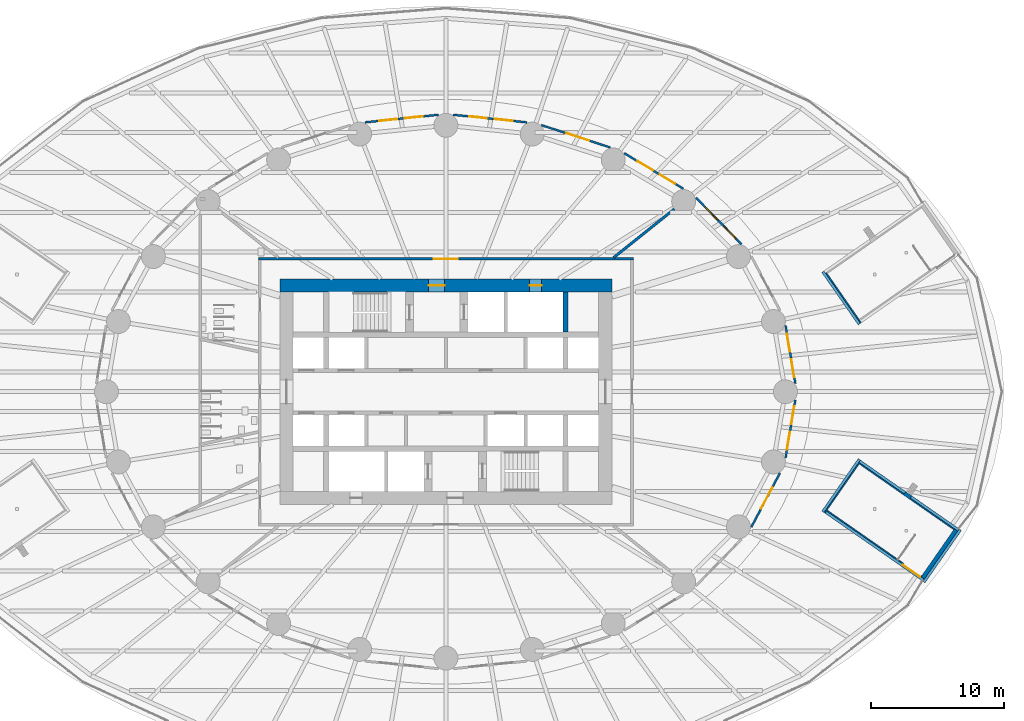
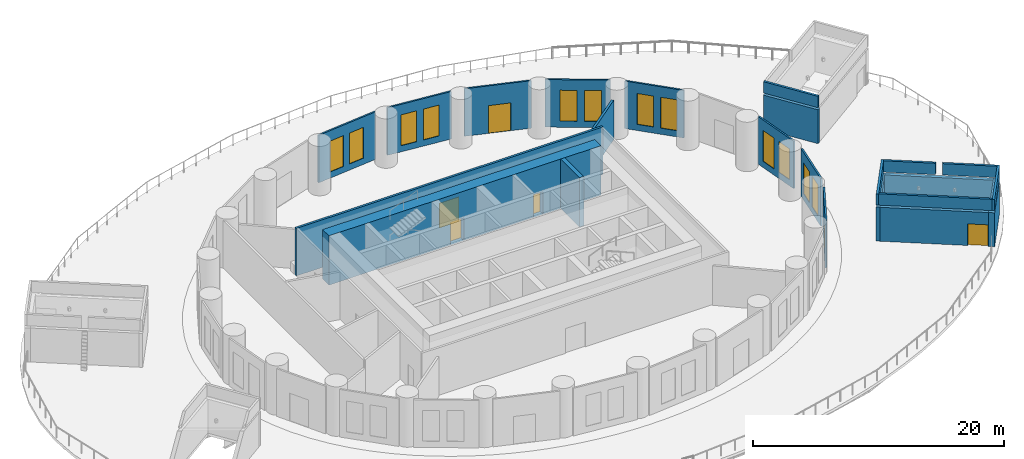
# One storey, part 10 of 17: 23 walls, 12 windows, 6 doors, 18 openings.
"""IFC4 building model written with IfcOpenShell, lengths in metres."""

from ifc_helpers import new_model, si_unit, direction, frame, frame_2d, origin, place, context, subcontext, project, spatial, rectangle, extrude, material, layer, layer_set, type_object, element, fill, save


model = new_model("IFC4")

# Units and contexts
model_context = context("Model", 3, precision=1e-05, world=origin(), true_north=direction((0.0, 1.0)))
body_context = subcontext(model_context, "Body", "Model", "MODEL_VIEW")
ifc_project = project(units=[si_unit("LENGTHUNIT", "METRE"), si_unit("AREAUNIT", "SQUARE_METRE"), si_unit("VOLUMEUNIT", "CUBIC_METRE"), si_unit("PLANEANGLEUNIT", "RADIAN"), si_unit("MASSUNIT", "GRAM", prefix="KILO")], contexts=[model_context])

# Site, building, storey
site_placement = place(None, origin())
site = spatial("IfcSite", under=ifc_project, at=site_placement, CompositionType="ELEMENT")
building_placement = place(site_placement, origin())
building = spatial("IfcBuilding", under=site, at=building_placement, Name="Hankou Lantern Tower", CompositionType="ELEMENT")
storey_placement = place(building_placement, frame((0.0, 0.0, 24.60009765625)))
storey = spatial("IfcBuildingStorey", under=building, at=storey_placement, Name="L04", CompositionType="ELEMENT", Elevation=24.60009765625)

# Wall, openings, doors
ifc_material_1 = material(Name="Concrete C60", Category="concrete")
ifc_layer_1 = layer(ifc_material_1, 1.0)
ifc_layer_set_1 = layer_set([ifc_layer_1], Name="Concrete C60")
wall_type_1 = type_object("IfcWallType", Name="CW1 CORE WALL 1000", PredefinedType="SHEAR", material=ifc_layer_set_1)
wall_1_placement = place(storey_placement, frame((-12.5, 8.0, 0.0), z_axis=(0.0, 0.0, 1.0), x_axis=(1.0, 0.0, 0.0)))
wall_1 = element("IfcWall", 1, at=wall_1_placement, inside=storey, type_object=wall_type_1, Name="Core wall north L04", PredefinedType="SHEAR", context=body_context, shape_type="SweptSolid", body=[
    extrude(rectangle(XDim=25.0, YDim=1.0, at=frame_2d((12.5, 0.0))), origin(), (0.0, 0.0, 1.0), 4.7998046875),
])
opening_1_placement = place(wall_1_placement, frame((11.199951171875, 0.0, 0.0)))
opening_1 = element("IfcOpeningElement", 2, at=opening_1_placement, cuts=wall_1, Name="Opening D5", PredefinedType="OPENING", context=body_context, shape_type="SweptSolid", body=[
    extrude(rectangle(XDim=1.199951171875, YDim=2.199951171875, at=frame_2d((0.60009765625, 1.10009765625))), frame((0.0, 0.510009765625, 0.0), z_axis=(0.0, -1.0, 0.0), x_axis=(1.0, 0.0, 0.0)), (0.0, 0.0, 1.0), 1.02001953125),
])
opening_2_placement = place(wall_1_placement, frame((18.800048828125, 0.0, 0.0)))
opening_2 = element("IfcOpeningElement", 3, at=opening_2_placement, cuts=wall_1, Name="Opening D7", PredefinedType="OPENING", context=body_context, shape_type="SweptSolid", body=[
    extrude(rectangle(XDim=0.89990234375, YDim=2.199951171875, at=frame_2d((0.449951171875, 1.10009765625))), frame((0.0, 0.510009765625, 0.0), z_axis=(0.0, -1.0, 0.0), x_axis=(1.0, 0.0, 0.0)), (0.0, 0.0, 1.0), 1.02001953125),
])
ifc_material_2 = material(Name="Steel door leaf", Category="steel")
door_type_1 = type_object("IfcDoorType", Name="D5 STAIR LOBBY DOOR 1200X2200", OperationType="SINGLE_SWING_LEFT", PredefinedType="DOOR", material=ifc_material_2)
door_1_placement = place(opening_1_placement, origin())
door_1 = element("IfcDoor", 4, at=door_1_placement, inside=storey, type_object=door_type_1, Name="Stair A lobby door", OperationType="SINGLE_SWING_LEFT", OverallHeight=2.199951171875, OverallWidth=1.199951171875, PredefinedType="DOOR", context=body_context, shape_type="SweptSolid", body=[
    extrude(rectangle(XDim=1.199951171875, YDim=2.199951171875, at=frame_2d((0.60009765625, 1.10009765625))), frame((0.0, 0.02490234375, 0.0), z_axis=(0.0, -1.0, 0.0), x_axis=(1.0, 0.0, 0.0)), (0.0, 0.0, 1.0), 0.050048828125),
])
fill(opening_1, door_1)
ifc_material_3 = material(Name="Steel door leaf", Category="steel")
door_type_2 = type_object("IfcDoorType", Name="D7 RISER DOOR 900X2200", OperationType="SINGLE_SWING_LEFT", PredefinedType="DOOR", material=ifc_material_3)
door_2_placement = place(opening_2_placement, origin())
door_2 = element("IfcDoor", 5, at=door_2_placement, inside=storey, type_object=door_type_2, Name="Riser N1 door", OperationType="SINGLE_SWING_RIGHT", OverallHeight=2.199951171875, OverallWidth=0.89990234375, PredefinedType="DOOR", context=body_context, shape_type="SweptSolid", body=[
    extrude(rectangle(XDim=0.89990234375, YDim=2.199951171875, at=frame_2d((0.449951171875, 1.10009765625))), frame((0.0, 0.02490234375, 0.0), z_axis=(0.0, -1.0, 0.0), x_axis=(1.0, 0.0, 0.0)), (0.0, 0.0, 1.0), 0.050048828125),
])
fill(opening_2, door_2)

# Walls
ifc_material_4 = material(Name="Concrete C60", Category="concrete")
ifc_layer_2 = layer(ifc_material_4, 0.39990234375)
ifc_layer_set_2 = layer_set([ifc_layer_2], Name="Concrete C60")
wall_type_2 = type_object("IfcWallType", Name="CW4 CORE CROSS WALL 400", PredefinedType="SHEAR", material=ifc_layer_set_2)
wall_2_placement = place(storey_placement, frame((9.0, 4.5, 0.0), z_axis=(0.0, 0.0, 1.0), x_axis=(0.0, 1.0, 0.0)))
element("IfcWall", 6, at=wall_2_placement, inside=storey, type_object=wall_type_2, Name="Core strip wall L04", PredefinedType="SHEAR", context=body_context, shape_type="SweptSolid", body=[
    extrude(rectangle(XDim=3.0, YDim=0.39990234375, at=frame_2d((1.5, 0.0))), origin(), (0.0, 0.0, 1.0), 4.7998046875),
])
ifc_material_5 = material(Name="Concrete C50", Category="concrete")
ifc_layer_3 = layer(ifc_material_5, 0.300048828125)
ifc_layer_set_3 = layer_set([ifc_layer_3], Name="Concrete C50")
wall_type_3 = type_object("IfcWallType", Name="CW7 PODIUM STAIR WALL 300", PredefinedType="SHEAR", material=ifc_layer_set_3)
wall_3_placement = place(storey_placement, frame((31.152587890625, 5.119873046875, 0.0), z_axis=(0.0, 0.0, 1.0), x_axis=(-0.571036173178, 0.820924898467, 0.0)))
element("IfcWall", 7, at=wall_3_placement, inside=storey, type_object=wall_type_3, Name="Podium stair P1 wall", PredefinedType="SHEAR", context=body_context, shape_type="SweptSolid", body=[
    extrude(rectangle(XDim=4.800048828125, YDim=0.300048828125, at=frame_2d((2.39990234375, 0.0))), origin(), (0.0, 0.0, 1.0), 3.2998046875),
])

# Wall, opening, door
wall_4_placement = place(storey_placement, frame((35.7294921875, -13.968017578125, 0.0), z_axis=(0.0, 0.0, 1.0), x_axis=(-0.82092761123, 0.571032273274, 0.0)))
wall_4 = element("IfcWall", 8, at=wall_4_placement, inside=storey, type_object=wall_type_3, Name="Podium stair P4 wall", PredefinedType="SHEAR", context=body_context, shape_type="SweptSolid", body=[
    extrude(rectangle(XDim=8.659912109375, YDim=0.300048828125, at=frame_2d((4.330078125, 0.0))), origin(), (0.0, 0.0, 1.0), 3.2998046875),
])
opening_3_placement = place(wall_4_placement, frame((0.050048828125, 0.0, 0.0)))
opening_3 = element("IfcOpeningElement", 9, at=opening_3_placement, cuts=wall_4, Name="Opening D16", PredefinedType="OPENING", context=body_context, shape_type="SweptSolid", body=[
    extrude(rectangle(XDim=1.60009765625, YDim=2.10009765625, at=frame_2d((0.800048828125, 1.050048828125))), frame((0.0, 0.159912109375, 0.0), z_axis=(0.0, -1.0, 0.0), x_axis=(1.0, 0.0, 0.0)), (0.0, 0.0, 1.0), 0.320068359375),
])
ifc_material_6 = material(Name="Steel door leaf", Category="steel")
door_type_3 = type_object("IfcDoorType", Name="D16 PODIUM STAIR DOOR 1600X2100", OperationType="SINGLE_SWING_LEFT", PredefinedType="DOOR", material=ifc_material_6)
door_3_placement = place(opening_3_placement, origin())
door_3 = element("IfcDoor", 10, at=door_3_placement, inside=storey, type_object=door_type_3, Name="Podium stair P4 door", OperationType="SINGLE_SWING_LEFT", OverallHeight=2.10009765625, OverallWidth=1.60009765625, PredefinedType="DOOR", context=body_context, shape_type="SweptSolid", body=[
    extrude(rectangle(XDim=1.60009765625, YDim=2.10009765625, at=frame_2d((0.800048828125, 1.050048828125))), frame((0.0, 0.02490234375, 0.0), z_axis=(0.0, -1.0, 0.0), x_axis=(1.0, 0.0, 0.0)), (0.0, 0.0, 1.0), 0.050048828125),
])
fill(opening_3, door_3)

# Walls
wall_5_placement = place(storey_placement, frame((38.29931640625, -10.273681640625, 0.0), z_axis=(0.0, 0.0, 1.0), x_axis=(-0.820936803751, 0.571019057692, 0.0)))
element("IfcWall", 11, at=wall_5_placement, inside=storey, type_object=wall_type_3, Name="Podium stair P4 wall", PredefinedType="SHEAR", context=body_context, shape_type="SweptSolid", body=[
    extrude(rectangle(XDim=8.66015625, YDim=0.300048828125, at=frame_2d((4.330078125, 0.0))), origin(), (0.0, 0.0, 1.0), 3.2998046875),
])
wall_6_placement = place(storey_placement, frame((28.41162109375, -9.060302734375, 0.0), z_axis=(0.0, 0.0, 1.0), x_axis=(0.571036173178, 0.820924898467, 0.0)))
element("IfcWall", 12, at=wall_6_placement, inside=storey, type_object=wall_type_3, Name="Podium stair P4 wall", PredefinedType="SHEAR", context=body_context, shape_type="SweptSolid", body=[
    extrude(rectangle(XDim=4.800048828125, YDim=0.300048828125, at=frame_2d((2.39990234375, 0.0))), origin(), (0.0, 0.0, 1.0), 3.2998046875),
])

# Wall, openings, windows
ifc_material_7 = material(Name="Aluminium spandrel panel on steel studs", Category="steel")
ifc_layer_4 = layer(ifc_material_7, 0.14990234375)
ifc_layer_set_4 = layer_set([ifc_layer_4], Name="Aluminium spandrel panel on steel studs")
wall_type_4 = type_object("IfcWallType", Name="EW1 INNER SKIN WALL 150", PredefinedType="ELEMENTEDWALL", material=ifc_layer_set_4)
wall_7_placement = place(storey_placement, frame((26.29736328125, 0.611083984375, 0.0), z_axis=(0.0, 0.0, 1.0), x_axis=(-0.165641751141, 0.986185991727, 0.0)))
wall_7 = element("IfcWall", 13, at=wall_7_placement, inside=storey, type_object=wall_type_4, Name="Inner skin R01-R02 L04", PredefinedType="ELEMENTEDWALL", context=body_context, shape_type="SweptSolid", body=[
    extrude(rectangle(XDim=4.427734375, YDim=0.14990234375, at=frame_2d((2.2138671875, 0.0))), origin(), (0.0, 0.0, 1.0), 4.619873046875),
])
opening_4_placement = place(wall_7_placement, frame((0.499755859375, 0.0, 0.60009765625)))
opening_4 = element("IfcOpeningElement", 14, at=opening_4_placement, cuts=wall_7, Name="Opening W5", PredefinedType="OPENING", context=body_context, shape_type="SweptSolid", body=[
    extrude(rectangle(XDim=1.35009765625, YDim=3.0, at=frame_2d((0.675048828125, 1.5))), frame((0.0, 0.0849609375, 0.0), z_axis=(0.0, -1.0, 0.0), x_axis=(1.0, 0.0, 0.0)), (0.0, 0.0, 1.0), 0.169921875),
])
opening_5_placement = place(wall_7_placement, frame((2.44970703125, 0.0, 0.60009765625)))
opening_5 = element("IfcOpeningElement", 15, at=opening_5_placement, cuts=wall_7, Name="Opening W5", PredefinedType="OPENING", context=body_context, shape_type="SweptSolid", body=[
    extrude(rectangle(XDim=1.35009765625, YDim=3.0, at=frame_2d((0.675048828125, 1.5))), frame((0.0, 0.0849609375, 0.0), z_axis=(0.0, -1.0, 0.0), x_axis=(1.0, 0.0, 0.0)), (0.0, 0.0, 1.0), 0.169921875),
])
ifc_material_8 = material(Name="Aluminium framed double glazed window", Category="aluminium")
window_type = type_object("IfcWindowType", Name="W5 AMENITY WINDOW 1350X3000", PartitioningType="DOUBLE_PANEL_VERTICAL", PredefinedType="WINDOW", material=ifc_material_8)
window_1_placement = place(opening_4_placement, origin())
window_1 = element("IfcWindow", 16, at=window_1_placement, inside=storey, type_object=window_type, Name="Window R01.1 L04", OverallHeight=3.0, OverallWidth=1.35009765625, PartitioningType="SINGLE_PANEL", PredefinedType="WINDOW", context=body_context, shape_type="SweptSolid", body=[
    extrude(rectangle(XDim=1.35009765625, YDim=3.0, at=frame_2d((0.675048828125, 1.5))), frame((0.0, 0.030029296875, 0.0), z_axis=(0.0, -1.0, 0.0), x_axis=(1.0, 0.0, 0.0)), (0.0, 0.0, 1.0), 0.06005859375),
])
fill(opening_4, window_1)
window_2_placement = place(opening_5_placement, origin())
window_2 = element("IfcWindow", 17, at=window_2_placement, inside=storey, type_object=window_type, Name="Window R01.2 L04", OverallHeight=3.0, OverallWidth=1.35009765625, PartitioningType="SINGLE_PANEL", PredefinedType="WINDOW", context=body_context, shape_type="SweptSolid", body=[
    extrude(rectangle(XDim=1.35009765625, YDim=3.0, at=frame_2d((0.675048828125, 1.5))), frame((0.0, 0.030029296875, 0.0), z_axis=(0.0, -1.0, 0.0), x_axis=(1.0, 0.0, 0.0)), (0.0, 0.0, 1.0), 0.06005859375),
])
fill(opening_5, window_2)

wall_8_placement = place(storey_placement, frame((22.23876953125, 11.1083984375, 0.0), z_axis=(0.0, 0.0, 1.0), x_axis=(-0.699612594083, 0.714522370679, 0.0)))
wall_8 = element("IfcWall", 18, at=wall_8_placement, inside=storey, type_object=wall_type_4, Name="Inner skin R03-R04 L04", PredefinedType="ELEMENTEDWALL", context=body_context, shape_type="SweptSolid", body=[
    extrude(rectangle(XDim=4.89599609375, YDim=0.14990234375, at=frame_2d((2.447998046875, 0.0))), origin(), (0.0, 0.0, 1.0), 4.619873046875),
])
opening_6_placement = place(wall_8_placement, frame((0.569091796875, 0.0, 0.60009765625)))
opening_6 = element("IfcOpeningElement", 19, at=opening_6_placement, cuts=wall_8, Name="Opening W5", PredefinedType="OPENING", context=body_context, shape_type="SweptSolid", body=[
    extrude(rectangle(XDim=1.35009765625, YDim=3.0, at=frame_2d((0.675048828125, 1.5))), frame((0.0, 0.0849609375, 0.0), z_axis=(0.0, -1.0, 0.0), x_axis=(1.0, 0.0, 0.0)), (0.0, 0.0, 1.0), 0.169921875),
])
opening_7_placement = place(wall_8_placement, frame((2.51904296875, 0.0, 0.60009765625)))
opening_7 = element("IfcOpeningElement", 20, at=opening_7_placement, cuts=wall_8, Name="Opening W5", PredefinedType="OPENING", context=body_context, shape_type="SweptSolid", body=[
    extrude(rectangle(XDim=1.35009765625, YDim=3.0, at=frame_2d((0.675048828125, 1.5))), frame((0.0, 0.0849609375, 0.0), z_axis=(0.0, -1.0, 0.0), x_axis=(1.0, 0.0, 0.0)), (0.0, 0.0, 1.0), 0.169921875),
])
window_3_placement = place(opening_6_placement, origin())
window_3 = element("IfcWindow", 21, at=window_3_placement, inside=storey, type_object=window_type, Name="Window R03.1 L04", OverallHeight=3.0, OverallWidth=1.35009765625, PartitioningType="SINGLE_PANEL", PredefinedType="WINDOW", context=body_context, shape_type="SweptSolid", body=[
    extrude(rectangle(XDim=1.35009765625, YDim=3.0, at=frame_2d((0.675048828125, 1.5))), frame((0.0, 0.030029296875, 0.0), z_axis=(0.0, -1.0, 0.0), x_axis=(1.0, 0.0, 0.0)), (0.0, 0.0, 1.0), 0.06005859375),
])
fill(opening_6, window_3)
window_4_placement = place(opening_7_placement, origin())
window_4 = element("IfcWindow", 22, at=window_4_placement, inside=storey, type_object=window_type, Name="Window R03.2 L04", OverallHeight=3.0, OverallWidth=1.35009765625, PartitioningType="SINGLE_PANEL", PredefinedType="WINDOW", context=body_context, shape_type="SweptSolid", body=[
    extrude(rectangle(XDim=1.35009765625, YDim=3.0, at=frame_2d((0.675048828125, 1.5))), frame((0.0, 0.030029296875, 0.0), z_axis=(0.0, -1.0, 0.0), x_axis=(1.0, 0.0, 0.0)), (0.0, 0.0, 1.0), 0.06005859375),
])
fill(opening_7, window_4)

wall_9_placement = place(storey_placement, frame((17.869384765625, 15.276611328125, 0.0), z_axis=(0.0, 0.0, 1.0), x_axis=(-0.856958191554, 0.515385931054, 0.0)))
wall_9 = element("IfcWall", 23, at=wall_9_placement, inside=storey, type_object=wall_type_4, Name="Inner skin R04-R05 L04", PredefinedType="ELEMENTEDWALL", context=body_context, shape_type="SweptSolid", body=[
    extrude(rectangle(XDim=5.201171875, YDim=0.14990234375, at=frame_2d((2.6005859375, 0.0))), origin(), (0.0, 0.0, 1.0), 4.619873046875),
])
opening_8_placement = place(wall_9_placement, frame((0.726318359375, 0.0, 0.60009765625)))
opening_8 = element("IfcOpeningElement", 24, at=opening_8_placement, cuts=wall_9, Name="Opening W5", PredefinedType="OPENING", context=body_context, shape_type="SweptSolid", body=[
    extrude(rectangle(XDim=1.35009765625, YDim=3.0, at=frame_2d((0.675048828125, 1.5))), frame((0.0, 0.0849609375, 0.0), z_axis=(0.0, -1.0, 0.0), x_axis=(1.0, 0.0, 0.0)), (0.0, 0.0, 1.0), 0.169921875),
])
opening_9_placement = place(wall_9_placement, frame((2.67626953125, 0.0, 0.60009765625)))
opening_9 = element("IfcOpeningElement", 25, at=opening_9_placement, cuts=wall_9, Name="Opening W5", PredefinedType="OPENING", context=body_context, shape_type="SweptSolid", body=[
    extrude(rectangle(XDim=1.35009765625, YDim=3.0, at=frame_2d((0.675048828125, 1.5))), frame((0.0, 0.0849609375, 0.0), z_axis=(0.0, -1.0, 0.0), x_axis=(1.0, 0.0, 0.0)), (0.0, 0.0, 1.0), 0.169921875),
])
window_5_placement = place(opening_8_placement, origin())
window_5 = element("IfcWindow", 26, at=window_5_placement, inside=storey, type_object=window_type, Name="Window R04.1 L04", OverallHeight=3.0, OverallWidth=1.35009765625, PartitioningType="SINGLE_PANEL", PredefinedType="WINDOW", context=body_context, shape_type="SweptSolid", body=[
    extrude(rectangle(XDim=1.35009765625, YDim=3.0, at=frame_2d((0.675048828125, 1.5))), frame((0.0, 0.030029296875, 0.0), z_axis=(0.0, -1.0, 0.0), x_axis=(1.0, 0.0, 0.0)), (0.0, 0.0, 1.0), 0.06005859375),
])
fill(opening_8, window_5)
window_6_placement = place(opening_9_placement, origin())
window_6 = element("IfcWindow", 27, at=window_6_placement, inside=storey, type_object=window_type, Name="Window R04.2 L04", OverallHeight=3.0, OverallWidth=1.35009765625, PartitioningType="SINGLE_PANEL", PredefinedType="WINDOW", context=body_context, shape_type="SweptSolid", body=[
    extrude(rectangle(XDim=1.35009765625, YDim=3.0, at=frame_2d((0.675048828125, 1.5))), frame((0.0, 0.030029296875, 0.0), z_axis=(0.0, -1.0, 0.0), x_axis=(1.0, 0.0, 0.0)), (0.0, 0.0, 1.0), 0.06005859375),
])
fill(opening_9, window_6)

# Wall, opening, door
wall_10_placement = place(storey_placement, frame((12.3662109375, 18.384033203125, 0.0), z_axis=(0.0, 0.0, 1.0), x_axis=(-0.951138486029, 0.308764603532, 0.0)))
wall_10 = element("IfcWall", 28, at=wall_10_placement, inside=storey, type_object=wall_type_4, Name="Inner skin R05-R06 L04", PredefinedType="ELEMENTEDWALL", context=body_context, shape_type="SweptSolid", body=[
    extrude(rectangle(XDim=5.444091796875, YDim=0.14990234375, at=frame_2d((2.72216796875, 0.0))), origin(), (0.0, 0.0, 1.0), 4.619873046875),
])
opening_10_placement = place(wall_10_placement, frame((1.65966796875, 0.0, 0.0)))
opening_10 = element("IfcOpeningElement", 29, at=opening_10_placement, cuts=wall_10, Name="Opening D17", PredefinedType="OPENING", context=body_context, shape_type="SweptSolid", body=[
    extrude(rectangle(XDim=1.800048828125, YDim=2.699951171875, at=frame_2d((0.89990234375, 1.35009765625))), frame((0.0, 0.0849609375, 0.0), z_axis=(0.0, -1.0, 0.0), x_axis=(1.0, 0.0, 0.0)), (0.0, 0.0, 1.0), 0.169921875),
])
ifc_material_9 = material(Name="Aluminium framed glazed door", Category="aluminium")
door_type_4 = type_object("IfcDoorType", Name="D17 TERRACE DOOR 1800X2700", OperationType="DOUBLE_DOOR_DOUBLE_SWING", PredefinedType="DOOR", material=ifc_material_9)
door_4_placement = place(opening_10_placement, origin())
door_4 = element("IfcDoor", 30, at=door_4_placement, inside=storey, type_object=door_type_4, Name="Terrace door R05", OperationType="DOUBLE_DOOR_DOUBLE_SWING", OverallHeight=2.699951171875, OverallWidth=1.800048828125, PredefinedType="DOOR", context=body_context, shape_type="SweptSolid", body=[
    extrude(rectangle(XDim=1.800048828125, YDim=2.699951171875, at=frame_2d((0.89990234375, 1.35009765625))), frame((0.0, 0.02490234375, 0.0), z_axis=(0.0, -1.0, 0.0), x_axis=(1.0, 0.0, 0.0)), (0.0, 0.0, 1.0), 0.050048828125),
])
fill(opening_10, door_4)

# Wall, openings, windows
wall_11_placement = place(storey_placement, frame((6.09765625, 20.27099609375, 0.0), z_axis=(0.0, 0.0, 1.0), x_axis=(-0.994723735084, 0.102589915983, 0.0)))
wall_11 = element("IfcWall", 31, at=wall_11_placement, inside=storey, type_object=wall_type_4, Name="Inner skin R06-R07 L04", PredefinedType="ELEMENTEDWALL", context=body_context, shape_type="SweptSolid", body=[
    extrude(rectangle(XDim=5.575927734375, YDim=0.14990234375, at=frame_2d((2.7880859375, 0.0))), origin(), (0.0, 0.0, 1.0), 4.619873046875),
])
opening_11_placement = place(wall_11_placement, frame((1.078857421875, 0.0, 0.60009765625)))
opening_11 = element("IfcOpeningElement", 32, at=opening_11_placement, cuts=wall_11, Name="Opening W5", PredefinedType="OPENING", context=body_context, shape_type="SweptSolid", body=[
    extrude(rectangle(XDim=1.35009765625, YDim=3.0, at=frame_2d((0.675048828125, 1.5))), frame((0.0, 0.0849609375, 0.0), z_axis=(0.0, -1.0, 0.0), x_axis=(1.0, 0.0, 0.0)), (0.0, 0.0, 1.0), 0.169921875),
])
opening_12_placement = place(wall_11_placement, frame((3.02880859375, 0.0, 0.60009765625)))
opening_12 = element("IfcOpeningElement", 33, at=opening_12_placement, cuts=wall_11, Name="Opening W5", PredefinedType="OPENING", context=body_context, shape_type="SweptSolid", body=[
    extrude(rectangle(XDim=1.35009765625, YDim=3.0, at=frame_2d((0.675048828125, 1.5))), frame((0.0, 0.0849609375, 0.0), z_axis=(0.0, -1.0, 0.0), x_axis=(1.0, 0.0, 0.0)), (0.0, 0.0, 1.0), 0.169921875),
])
window_7_placement = place(opening_11_placement, origin())
window_7 = element("IfcWindow", 34, at=window_7_placement, inside=storey, type_object=window_type, Name="Window R06.1 L04", OverallHeight=3.0, OverallWidth=1.35009765625, PartitioningType="SINGLE_PANEL", PredefinedType="WINDOW", context=body_context, shape_type="SweptSolid", body=[
    extrude(rectangle(XDim=1.35009765625, YDim=3.0, at=frame_2d((0.675048828125, 1.5))), frame((0.0, 0.030029296875, 0.0), z_axis=(0.0, -1.0, 0.0), x_axis=(1.0, 0.0, 0.0)), (0.0, 0.0, 1.0), 0.06005859375),
])
fill(opening_11, window_7)
window_8_placement = place(opening_12_placement, origin())
window_8 = element("IfcWindow", 35, at=window_8_placement, inside=storey, type_object=window_type, Name="Window R06.2 L04", OverallHeight=3.0, OverallWidth=1.35009765625, PartitioningType="SINGLE_PANEL", PredefinedType="WINDOW", context=body_context, shape_type="SweptSolid", body=[
    extrude(rectangle(XDim=1.35009765625, YDim=3.0, at=frame_2d((0.675048828125, 1.5))), frame((0.0, 0.030029296875, 0.0), z_axis=(0.0, -1.0, 0.0), x_axis=(1.0, 0.0, 0.0)), (0.0, 0.0, 1.0), 0.06005859375),
])
fill(opening_12, window_8)

wall_12_placement = place(storey_placement, frame((-0.55126953125, 20.843017578125, 0.0), z_axis=(0.0, 0.0, 1.0), x_axis=(-0.994723735084, -0.102589915983, 0.0)))
wall_12 = element("IfcWall", 36, at=wall_12_placement, inside=storey, type_object=wall_type_4, Name="Inner skin R07-R08 L04", PredefinedType="ELEMENTEDWALL", context=body_context, shape_type="SweptSolid", body=[
    extrude(rectangle(XDim=5.575927734375, YDim=0.14990234375, at=frame_2d((2.7880859375, 0.0))), origin(), (0.0, 0.0, 1.0), 4.619873046875),
])
opening_13_placement = place(wall_12_placement, frame((1.19677734375, 0.0, 0.60009765625)))
opening_13 = element("IfcOpeningElement", 37, at=opening_13_placement, cuts=wall_12, Name="Opening W5", PredefinedType="OPENING", context=body_context, shape_type="SweptSolid", body=[
    extrude(rectangle(XDim=1.35009765625, YDim=3.0, at=frame_2d((0.675048828125, 1.5))), frame((0.0, 0.0849609375, 0.0), z_axis=(0.0, -1.0, 0.0), x_axis=(1.0, 0.0, 0.0)), (0.0, 0.0, 1.0), 0.169921875),
])
opening_14_placement = place(wall_12_placement, frame((3.146728515625, 0.0, 0.60009765625)))
opening_14 = element("IfcOpeningElement", 38, at=opening_14_placement, cuts=wall_12, Name="Opening W5", PredefinedType="OPENING", context=body_context, shape_type="SweptSolid", body=[
    extrude(rectangle(XDim=1.35009765625, YDim=3.0, at=frame_2d((0.675048828125, 1.5))), frame((0.0, 0.0849609375, 0.0), z_axis=(0.0, -1.0, 0.0), x_axis=(1.0, 0.0, 0.0)), (0.0, 0.0, 1.0), 0.169921875),
])
window_9_placement = place(opening_13_placement, origin())
window_9 = element("IfcWindow", 39, at=window_9_placement, inside=storey, type_object=window_type, Name="Window R07.1 L04", OverallHeight=3.0, OverallWidth=1.35009765625, PartitioningType="SINGLE_PANEL", PredefinedType="WINDOW", context=body_context, shape_type="SweptSolid", body=[
    extrude(rectangle(XDim=1.35009765625, YDim=3.0, at=frame_2d((0.675048828125, 1.5))), frame((0.0, 0.030029296875, 0.0), z_axis=(0.0, -1.0, 0.0), x_axis=(1.0, 0.0, 0.0)), (0.0, 0.0, 1.0), 0.06005859375),
])
fill(opening_13, window_9)
window_10_placement = place(opening_14_placement, origin())
window_10 = element("IfcWindow", 40, at=window_10_placement, inside=storey, type_object=window_type, Name="Window R07.2 L04", OverallHeight=3.0, OverallWidth=1.35009765625, PartitioningType="SINGLE_PANEL", PredefinedType="WINDOW", context=body_context, shape_type="SweptSolid", body=[
    extrude(rectangle(XDim=1.35009765625, YDim=3.0, at=frame_2d((0.675048828125, 1.5))), frame((0.0, 0.030029296875, 0.0), z_axis=(0.0, -1.0, 0.0), x_axis=(1.0, 0.0, 0.0)), (0.0, 0.0, 1.0), 0.06005859375),
])
fill(opening_14, window_10)

# Wall, opening, door
wall_13_placement = place(storey_placement, frame((22.986083984375, -10.185302734375, 0.0), z_axis=(0.0, 0.0, 1.0), x_axis=(0.467303182954, 0.884097129959, 0.0)))
wall_13 = element("IfcWall", 41, at=wall_13_placement, inside=storey, type_object=wall_type_4, Name="Inner skin R23-R24 L04", PredefinedType="ELEMENTEDWALL", context=body_context, shape_type="SweptSolid", body=[
    extrude(rectangle(XDim=4.6064453125, YDim=0.14990234375, at=frame_2d((2.30322265625, 0.0))), origin(), (0.0, 0.0, 1.0), 4.619873046875),
])
opening_15_placement = place(wall_13_placement, frame((1.574951171875, 0.0, 0.0)))
opening_15 = element("IfcOpeningElement", 42, at=opening_15_placement, cuts=wall_13, Name="Opening D17", PredefinedType="OPENING", context=body_context, shape_type="SweptSolid", body=[
    extrude(rectangle(XDim=1.800048828125, YDim=2.699951171875, at=frame_2d((0.89990234375, 1.35009765625))), frame((0.0, 0.0849609375, 0.0), z_axis=(0.0, -1.0, 0.0), x_axis=(1.0, 0.0, 0.0)), (0.0, 0.0, 1.0), 0.169921875),
])
door_5_placement = place(opening_15_placement, origin())
door_5 = element("IfcDoor", 43, at=door_5_placement, inside=storey, type_object=door_type_4, Name="Terrace door R23", OperationType="DOUBLE_DOOR_DOUBLE_SWING", OverallHeight=2.699951171875, OverallWidth=1.800048828125, PredefinedType="DOOR", context=body_context, shape_type="SweptSolid", body=[
    extrude(rectangle(XDim=1.800048828125, YDim=2.699951171875, at=frame_2d((0.89990234375, 1.35009765625))), frame((0.0, 0.02490234375, 0.0), z_axis=(0.0, -1.0, 0.0), x_axis=(1.0, 0.0, 0.0)), (0.0, 0.0, 1.0), 0.050048828125),
])
fill(opening_15, door_5)

# Wall, openings, windows
wall_14_placement = place(storey_placement, frame((25.56396484375, -4.9775390625, 0.0), z_axis=(0.0, 0.0, 1.0), x_axis=(0.165641751141, 0.986185991727, 0.0)))
wall_14 = element("IfcWall", 44, at=wall_14_placement, inside=storey, type_object=wall_type_4, Name="Inner skin R24-R01 L04", PredefinedType="ELEMENTEDWALL", context=body_context, shape_type="SweptSolid", body=[
    extrude(rectangle(XDim=4.427734375, YDim=0.14990234375, at=frame_2d((2.2138671875, 0.0))), origin(), (0.0, 0.0, 1.0), 4.619873046875),
])
opening_16_placement = place(wall_14_placement, frame((0.627685546875, 0.0, 0.60009765625)))
opening_16 = element("IfcOpeningElement", 45, at=opening_16_placement, cuts=wall_14, Name="Opening W5", PredefinedType="OPENING", context=body_context, shape_type="SweptSolid", body=[
    extrude(rectangle(XDim=1.35009765625, YDim=3.0, at=frame_2d((0.675048828125, 1.5))), frame((0.0, 0.0849609375, 0.0), z_axis=(0.0, -1.0, 0.0), x_axis=(1.0, 0.0, 0.0)), (0.0, 0.0, 1.0), 0.169921875),
])
opening_17_placement = place(wall_14_placement, frame((2.57763671875, 0.0, 0.60009765625)))
opening_17 = element("IfcOpeningElement", 46, at=opening_17_placement, cuts=wall_14, Name="Opening W5", PredefinedType="OPENING", context=body_context, shape_type="SweptSolid", body=[
    extrude(rectangle(XDim=1.35009765625, YDim=3.0, at=frame_2d((0.675048828125, 1.5))), frame((0.0, 0.0849609375, 0.0), z_axis=(0.0, -1.0, 0.0), x_axis=(1.0, 0.0, 0.0)), (0.0, 0.0, 1.0), 0.169921875),
])
window_11_placement = place(opening_16_placement, origin())
window_11 = element("IfcWindow", 47, at=window_11_placement, inside=storey, type_object=window_type, Name="Window R24.1 L04", OverallHeight=3.0, OverallWidth=1.35009765625, PartitioningType="SINGLE_PANEL", PredefinedType="WINDOW", context=body_context, shape_type="SweptSolid", body=[
    extrude(rectangle(XDim=1.35009765625, YDim=3.0, at=frame_2d((0.675048828125, 1.5))), frame((0.0, 0.030029296875, 0.0), z_axis=(0.0, -1.0, 0.0), x_axis=(1.0, 0.0, 0.0)), (0.0, 0.0, 1.0), 0.06005859375),
])
fill(opening_16, window_11)
window_12_placement = place(opening_17_placement, origin())
window_12 = element("IfcWindow", 48, at=window_12_placement, inside=storey, type_object=window_type, Name="Window R24.2 L04", OverallHeight=3.0, OverallWidth=1.35009765625, PartitioningType="SINGLE_PANEL", PredefinedType="WINDOW", context=body_context, shape_type="SweptSolid", body=[
    extrude(rectangle(XDim=1.35009765625, YDim=3.0, at=frame_2d((0.675048828125, 1.5))), frame((0.0, 0.030029296875, 0.0), z_axis=(0.0, -1.0, 0.0), x_axis=(1.0, 0.0, 0.0)), (0.0, 0.0, 1.0), 0.06005859375),
])
fill(opening_17, window_12)

# Walls
ifc_material_10 = material(Name="Granite cladding on reinforced concrete C50", Category="masonry")
ifc_layer_5 = layer(ifc_material_10, 0.5)
ifc_layer_set_5 = layer_set([ifc_layer_5], Name="Granite cladding on reinforced concrete C50")
wall_type_5 = type_object("IfcWallType", Name="EW2 STONE PORTAL WALL 500", PredefinedType="SOLIDWALL", material=ifc_layer_set_5)
wall_15_placement = place(storey_placement, frame((35.84912109375, -14.23388671875, 0.0), z_axis=(0.0, 0.0, 1.0), x_axis=(0.571036173178, 0.820924898467, 0.0)))
element("IfcWall", 49, at=wall_15_placement, inside=storey, type_object=wall_type_5, Name="Podium stair P4 head-house", PredefinedType="SOLIDWALL", context=body_context, shape_type="SweptSolid", body=[
    extrude(rectangle(XDim=4.800048828125, YDim=0.5, at=frame_2d((2.39990234375, 0.0))), origin(), (0.0, 0.0, 1.0), 3.2998046875),
])
ifc_material_11 = material(Name="Precast concrete C40 spandrel", Category="concrete")
ifc_layer_6 = layer(ifc_material_11, 0.199951171875)
ifc_layer_set_6 = layer_set([ifc_layer_6], Name="Precast concrete C40 spandrel")
wall_type_6 = type_object("IfcWallType", Name="EW3 SPANDREL WALL 200", PredefinedType="PARAPET", material=ifc_layer_set_6)
for number, where, z_axis, x_axis, name in (
    (50, (28.370361328125, 9.03173828125, 3.5), (0.0, 0.0, 1.0), (0.571036173178, -0.820924898467, 0.0), "Podium stair P1 head-house roof parapet"),
    (51, (35.97216796875, -14.319580078125, 3.5), (0.0, 0.0, 1.0), (0.571036173178, 0.820924898467, 0.0), "Podium stair P4 head-house roof parapet"),
):
    element("IfcWall", number, at=place(storey_placement, frame(where, z_axis=z_axis, x_axis=x_axis)), inside=storey, type_object=wall_type_6, Name=name, PredefinedType="PARAPET", context=body_context, shape_type="SweptSolid", body=[
        extrude(rectangle(XDim=4.800048828125, YDim=0.199951171875, at=frame_2d((2.39990234375, 0.0))), origin(), (0.0, 0.0, 1.0), 1.099853515625),
    ])
wall_16_placement = place(storey_placement, frame((38.573974609375, -10.404052734375, 3.5), z_axis=(0.0, 0.0, 1.0), x_axis=(-0.820934908624, 0.571021782248, 0.0)))
element("IfcWall", 52, at=wall_16_placement, inside=storey, type_object=wall_type_6, Name="Podium stair P4 head-house roof parapet", PredefinedType="PARAPET", context=body_context, shape_type="SweptSolid", body=[
    extrude(rectangle(XDim=4.35498046875, YDim=0.199951171875, at=frame_2d((2.177490234375, 0.0))), origin(), (0.0, 0.0, 1.0), 1.099853515625),
])
wall_17_placement = place(storey_placement, frame((34.54736328125, -7.603271484375, 3.5), z_axis=(0.0, 0.0, 1.0), x_axis=(-0.820904004174, 0.571066209761, 0.0)))
element("IfcWall", 53, at=wall_17_placement, inside=storey, type_object=wall_type_6, Name="Podium stair P4 head-house roof parapet", PredefinedType="PARAPET", context=body_context, shape_type="SweptSolid", body=[
    extrude(rectangle(XDim=4.155029296875, YDim=0.199951171875, at=frame_2d((2.07763671875, 0.0))), origin(), (0.0, 0.0, 1.0), 1.099853515625),
])
wall_18_placement = place(storey_placement, frame((31.111328125, -5.09130859375, 3.5), z_axis=(0.0, 0.0, 1.0), x_axis=(-0.571036173178, -0.820924898467, 0.0)))
element("IfcWall", 54, at=wall_18_placement, inside=storey, type_object=wall_type_6, Name="Podium stair P4 head-house roof parapet", PredefinedType="PARAPET", context=body_context, shape_type="SweptSolid", body=[
    extrude(rectangle(XDim=4.800048828125, YDim=0.199951171875, at=frame_2d((2.39990234375, 0.0))), origin(), (0.0, 0.0, 1.0), 1.099853515625),
])
wall_19_placement = place(storey_placement, frame((28.509765625, -9.0068359375, 3.5), z_axis=(0.0, 0.0, 1.0), x_axis=(0.820922227988, -0.571040012254, 0.0)))
element("IfcWall", 55, at=wall_19_placement, inside=storey, type_object=wall_type_6, Name="Podium stair P4 head-house roof parapet", PredefinedType="PARAPET", context=body_context, shape_type="SweptSolid", body=[
    extrude(rectangle(XDim=9.059814453125, YDim=0.199951171875, at=frame_2d((4.52978515625, 0.0))), origin(), (0.0, 0.0, 1.0), 1.099853515625),
])

# Wall, opening, door
ifc_material_12 = material(Name="Masonry lightweight concrete block", Category="masonry")
ifc_layer_7 = layer(ifc_material_12, 0.199951171875)
ifc_layer_set_7 = layer_set([ifc_layer_7], Name="Masonry lightweight concrete block")
wall_type_7 = type_object("IfcWallType", Name="IW2 CORRIDOR WALL 200", PredefinedType="PARTITIONING", material=ifc_layer_set_7)
wall_20_placement = place(storey_placement, frame((-14.10009765625, 10.0, 0.0), z_axis=(0.0, 0.0, 1.0), x_axis=(1.0, 0.0, 0.0)))
wall_20 = element("IfcWall", 56, at=wall_20_placement, inside=storey, type_object=wall_type_7, Name="Corridor wall north", PredefinedType="PARTITIONING", context=body_context, shape_type="SweptSolid", body=[
    extrude(rectangle(XDim=28.2001953125, YDim=0.199951171875, at=frame_2d((14.10009765625, 0.0))), origin(), (0.0, 0.0, 1.0), 4.619873046875),
])
opening_18_placement = place(wall_20_placement, frame((13.199951171875, 0.0, 0.0)))
opening_18 = element("IfcOpeningElement", 57, at=opening_18_placement, cuts=wall_20, Name="Opening D8", PredefinedType="OPENING", context=body_context, shape_type="SweptSolid", body=[
    extrude(rectangle(XDim=1.800048828125, YDim=2.39990234375, at=frame_2d((0.89990234375, 1.199951171875))), frame((0.0, 0.10986328125, 0.0), z_axis=(0.0, -1.0, 0.0), x_axis=(1.0, 0.0, 0.0)), (0.0, 0.0, 1.0), 0.219970703125),
])
ifc_material_13 = material(Name="Steel door leaf", Category="steel")
door_type_5 = type_object("IfcDoorType", Name="D8 DOUBLE DOOR 1800X2400", OperationType="DOUBLE_DOOR_DOUBLE_SWING", PredefinedType="DOOR", material=ifc_material_13)
door_6_placement = place(opening_18_placement, origin())
door_6 = element("IfcDoor", 58, at=door_6_placement, inside=storey, type_object=door_type_5, Name="Fitness centre door", OperationType="DOUBLE_DOOR_DOUBLE_SWING", OverallHeight=2.39990234375, OverallWidth=1.800048828125, PredefinedType="DOOR", context=body_context, shape_type="SweptSolid", body=[
    extrude(rectangle(XDim=1.800048828125, YDim=2.39990234375, at=frame_2d((0.89990234375, 1.199951171875))), frame((0.0, 0.02490234375, 0.0), z_axis=(0.0, -1.0, 0.0), x_axis=(1.0, 0.0, 0.0)), (0.0, 0.0, 1.0), 0.050048828125),
])
fill(opening_18, door_6)

# Wall
ifc_material_14 = material(Name="Masonry lightweight concrete block", Category="masonry")
ifc_layer_8 = layer(ifc_material_14, 0.199951171875)
ifc_layer_set_8 = layer_set([ifc_layer_8], Name="Masonry lightweight concrete block")
wall_type_8 = type_object("IfcWallType", Name="IW8 PARTITION 200", PredefinedType="PARTITIONING", material=ifc_layer_set_8)
wall_21_placement = place(storey_placement, frame((12.625, 10.10009765625, 0.0), z_axis=(0.0, 0.0, 1.0), x_axis=(0.780872884676, 0.624689953479, 0.0)))
element("IfcWall", 59, at=wall_21_placement, inside=storey, type_object=wall_type_8, Name="Partition R04", PredefinedType="PARTITIONING", context=body_context, shape_type="SweptSolid", body=[
    extrude(rectangle(XDim=5.8447265625, YDim=0.199951171875, at=frame_2d((2.92236328125, 0.0))), origin(), (0.0, 0.0, 1.0), 3.81982421875),
])

save(model, "model.ifc")
